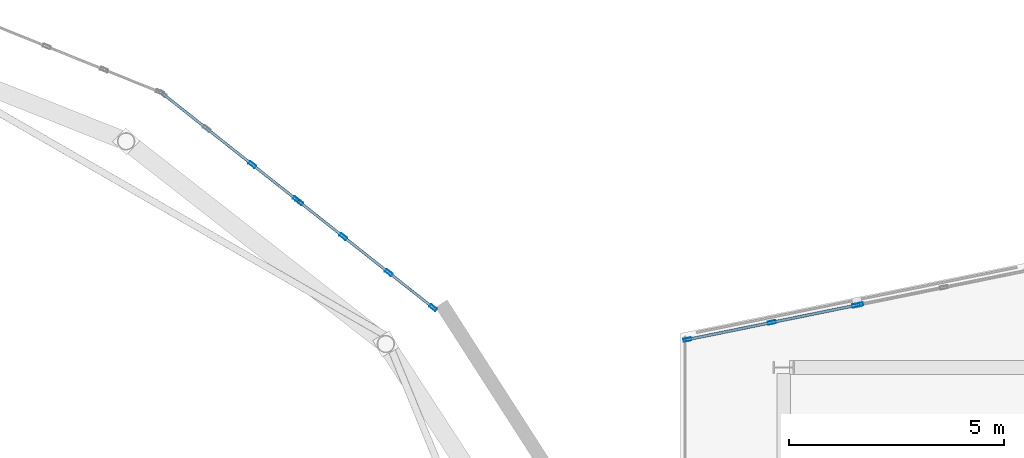
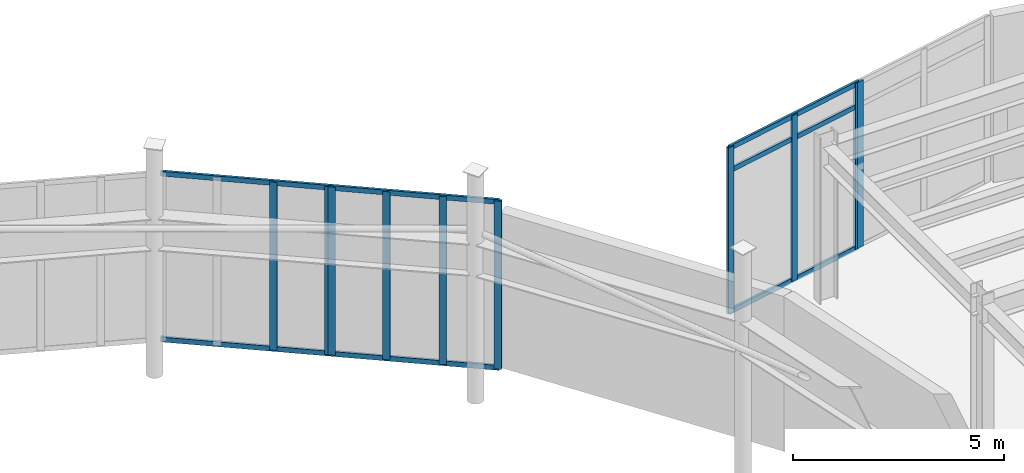
# One storey, part 39 of 91: 17 members, 4 elements without a shape of their own.
"""IFC4 building model written with IfcOpenShell, lengths in metres."""

from ifc_helpers import new_model, si_unit, direction, frame, origin, origin_2d, place, context, subcontext, project, spatial, hollow_rectangle, extrude, material, layer, layer_set, material_profile, profile_set, type_object, element, aggregate, save


model = new_model("IFC4")

# Units and contexts
model_context = context("Model", 3, precision=1e-05, world=origin(), true_north=direction((0.0, 1.0)))
body_context = subcontext(model_context, "Body", "Model", "MODEL_VIEW")
ifc_project = project(units=[si_unit("LENGTHUNIT", "METRE"), si_unit("AREAUNIT", "SQUARE_METRE"), si_unit("VOLUMEUNIT", "CUBIC_METRE"), si_unit("PLANEANGLEUNIT", "RADIAN"), si_unit("MASSUNIT", "GRAM", prefix="KILO")], contexts=[model_context])

# Site, building, storey
site_placement = place(None, origin())
site = spatial("IfcSite", under=ifc_project, at=site_placement, CompositionType="ELEMENT")
building_placement = place(site_placement, origin())
building = spatial("IfcBuilding", under=site, at=building_placement, Name="Sollismere Congress Hotel", CompositionType="ELEMENT")
storey_placement = place(building_placement, frame((0.0, 0.0, 10.800048828125)))
storey = spatial("IfcBuildingStorey", under=building, at=storey_placement, Name="L02", CompositionType="ELEMENT", Elevation=10.800048828125)

# Curtain wall, members
ifc_material_1 = material(Name="Anodized Bronze Curtain Wall & Low-E Triple Glazing", Category="glass")
ifc_layer = layer(ifc_material_1, 0.199951171875, Name="Anodized Bronze Curtain Wall & Low-E Triple Glazing")
ifc_layer_set = layer_set([ifc_layer], Name="Anodized Bronze Curtain Wall & Low-E Triple Glazing")
curtain_wall_type = type_object("IfcCurtainWallType", Name="CW-GLZ36", PredefinedType="USERDEFINED", material=ifc_layer_set)
curtain_wall_1_placement = place(storey_placement, origin())
curtain_wall_1 = element("IfcCurtainWall", 1, at=curtain_wall_1_placement, inside=storey, type_object=curtain_wall_type, Name="Unitised curtain wall CW-L02-005", ObjectType="UNITISED CURTAIN WALL", PredefinedType="USERDEFINED")
ifc_material_2 = material(Name="Anodized Aluminum 6063-T6", Category="aluminium")
ifc_material_profile_1 = material_profile(ifc_material_2, hollow_rectangle(XDim=0.074951171875, YDim=0.179931640625, WallThickness=0.0048828125, at=origin_2d()), Name="ALU180X75X5")
ifc_profile_set_1 = profile_set([ifc_material_profile_1], Name="Anodized Aluminum 6063-T6")
member_type_1 = type_object("IfcMemberType", Name="ML-CW180", PredefinedType="MULLION", material=ifc_profile_set_1)
member_1_placement = place(storey_placement, frame((52.2294921875, 103.795654296875, 0.0), z_axis=(0.0, 0.0, 1.0), x_axis=(-0.620532077362, -0.784181063891, 0.0)))
member_1 = element("IfcMember", 2, at=member_1_placement, type_object=member_type_1, Name="CWL-CW-L02-005-ML01", PredefinedType="MULLION", context=body_context, shape_type="SweptSolid", body=[
    extrude(hollow_rectangle(XDim=0.074951171875, YDim=0.179931640625, WallThickness=0.0048828125, at=origin_2d()), origin(), (0.0, 0.0, 1.0), 4.85986328125),
])
member_2_placement = place(storey_placement, frame((51.19921875, 104.61083984375, 0.0), z_axis=(0.0, 0.0, 1.0), x_axis=(-0.620532077362, -0.784181063891, 0.0)))
member_2 = element("IfcMember", 3, at=member_2_placement, type_object=member_type_1, Name="CWL-CW-L02-005-ML02", PredefinedType="MULLION", context=body_context, shape_type="SweptSolid", body=[
    extrude(hollow_rectangle(XDim=0.074951171875, YDim=0.179931640625, WallThickness=0.0048828125, at=origin_2d()), origin(), (0.0, 0.0, 1.0), 4.85986328125),
])
member_3_placement = place(storey_placement, frame((50.13916015625, 105.44970703125, 0.0), z_axis=(0.0, 0.0, 1.0), x_axis=(-0.620532077362, -0.784181063891, 0.0)))
member_3 = element("IfcMember", 4, at=member_3_placement, type_object=member_type_1, Name="CWL-CW-L02-005-ML03", PredefinedType="MULLION", context=body_context, shape_type="SweptSolid", body=[
    extrude(hollow_rectangle(XDim=0.074951171875, YDim=0.179931640625, WallThickness=0.0048828125, at=origin_2d()), origin(), (0.0, 0.0, 1.0), 4.85986328125),
])
member_4_placement = place(storey_placement, frame((49.10888671875, 106.264892578125, 0.0), z_axis=(0.0, 0.0, 1.0), x_axis=(-0.620532077362, -0.784181063891, 0.0)))
member_4 = element("IfcMember", 5, at=member_4_placement, type_object=member_type_1, Name="CWL-CW-L02-005-ML04", PredefinedType="MULLION", context=body_context, shape_type="SweptSolid", body=[
    extrude(hollow_rectangle(XDim=0.074951171875, YDim=0.179931640625, WallThickness=0.0048828125, at=origin_2d()), origin(), (0.0, 0.0, 1.0), 4.85986328125),
])

curtain_wall_2_placement = place(storey_placement, origin())
curtain_wall_2 = element("IfcCurtainWall", 6, at=curtain_wall_2_placement, inside=storey, type_object=curtain_wall_type, Name="Unitised curtain wall CW-L02-006", ObjectType="UNITISED CURTAIN WALL", PredefinedType="USERDEFINED")
member_5_placement = place(storey_placement, frame((49.04931640625, 106.312255859375, 0.0), z_axis=(0.0, 0.0, 1.0), x_axis=(-0.620532077362, -0.784181063891, 0.0)))
member_5 = element("IfcMember", 7, at=member_5_placement, type_object=member_type_1, Name="CWL-CW-L02-006-ML01", PredefinedType="MULLION", context=body_context, shape_type="SweptSolid", body=[
    extrude(hollow_rectangle(XDim=0.074951171875, YDim=0.179931640625, WallThickness=0.0048828125, at=origin_2d()), origin(), (0.0, 0.0, 1.0), 4.85986328125),
])
member_6_placement = place(storey_placement, frame((48.018798828125, 107.12744140625, 0.0), z_axis=(0.0, 0.0, 1.0), x_axis=(-0.620532077362, -0.784181063891, 0.0)))
member_6 = element("IfcMember", 8, at=member_6_placement, type_object=member_type_1, Name="CWL-CW-L02-006-ML02", PredefinedType="MULLION", context=body_context, shape_type="SweptSolid", body=[
    extrude(hollow_rectangle(XDim=0.074951171875, YDim=0.179931640625, WallThickness=0.0048828125, at=origin_2d()), origin(), (0.0, 0.0, 1.0), 4.85986328125),
])

curtain_wall_3_placement = place(storey_placement, origin())
curtain_wall_3 = element("IfcCurtainWall", 9, at=curtain_wall_3_placement, inside=storey, type_object=curtain_wall_type, Name="Unitised curtain wall CW-L02-097", ObjectType="UNITISED CURTAIN WALL", PredefinedType="USERDEFINED")
member_7_placement = place(storey_placement, frame((58.15478515625, 103.051513671875, 0.0), z_axis=(0.0, 0.0, 1.0), x_axis=(-0.199367934417, 0.979924704621, 0.0)))
member_7 = element("IfcMember", 10, at=member_7_placement, type_object=member_type_1, Name="CWL-CW-L02-097-ML01", PredefinedType="MULLION", context=body_context, shape_type="SweptSolid", body=[
    extrude(hollow_rectangle(XDim=0.074951171875, YDim=0.179931640625, WallThickness=0.0048828125, at=origin_2d()), origin(), (0.0, 0.0, 1.0), 4.800048828125),
])
member_8_placement = place(storey_placement, frame((60.121337890625, 103.45166015625, 0.0), z_axis=(0.0, 0.0, 1.0), x_axis=(-0.199367934417, 0.979924704621, 0.0)))
member_8 = element("IfcMember", 11, at=member_8_placement, type_object=member_type_1, Name="CWL-CW-L02-097-ML02", PredefinedType="MULLION", context=body_context, shape_type="SweptSolid", body=[
    extrude(hollow_rectangle(XDim=0.074951171875, YDim=0.179931640625, WallThickness=0.0048828125, at=origin_2d()), origin(), (0.0, 0.0, 1.0), 4.800048828125),
])
member_9_placement = place(storey_placement, frame((62.087890625, 103.851806640625, 0.0), z_axis=(0.0, 0.0, 1.0), x_axis=(-0.199367934417, 0.979924704621, 0.0)))
member_9 = element("IfcMember", 12, at=member_9_placement, type_object=member_type_1, Name="CWL-CW-L02-097-ML03", PredefinedType="MULLION", context=body_context, shape_type="SweptSolid", body=[
    extrude(hollow_rectangle(XDim=0.074951171875, YDim=0.179931640625, WallThickness=0.0048828125, at=origin_2d()), origin(), (0.0, 0.0, 1.0), 4.800048828125),
])

# Curtain wall, member
curtain_wall_4_placement = place(storey_placement, origin())
curtain_wall_4 = element("IfcCurtainWall", 13, at=curtain_wall_4_placement, inside=storey, type_object=curtain_wall_type, Name="Unitised curtain wall CW-L02-098", ObjectType="UNITISED CURTAIN WALL", PredefinedType="USERDEFINED")
member_10_placement = place(storey_placement, frame((62.162109375, 103.86669921875, 0.0), z_axis=(0.0, 0.0, 1.0), x_axis=(-0.199367934417, 0.979924704621, 0.0)))
member_10 = element("IfcMember", 14, at=member_10_placement, type_object=member_type_1, Name="CWL-CW-L02-098-ML01", PredefinedType="MULLION", context=body_context, shape_type="SweptSolid", body=[
    extrude(hollow_rectangle(XDim=0.074951171875, YDim=0.179931640625, WallThickness=0.0048828125, at=origin_2d()), origin(), (0.0, 0.0, 1.0), 4.800048828125),
])
aggregate(curtain_wall_4, [member_10])

# Member
ifc_material_profile_2 = material_profile(ifc_material_2, hollow_rectangle(XDim=0.06494140625, YDim=0.139892578125, WallThickness=0.00390625, at=origin_2d()), Name="ALU140X65X4")
ifc_profile_set_2 = profile_set([ifc_material_profile_2], Name="Anodized Aluminum 6063-T6")
member_type_2 = type_object("IfcMemberType", Name="TR-CW150", PredefinedType="MEMBER", material=ifc_profile_set_2)
member_11_placement = place(storey_placement, frame((52.25927734375, 103.772216796875, 0.032470703125), z_axis=(-0.78419961589, 0.620508632042, 0.0), x_axis=(-0.620508632042, -0.78419961589, 0.0)))
member_11 = element("IfcMember", 15, at=member_11_placement, type_object=member_type_2, Name="CWL-CW-L02-005-TR1", PredefinedType="MEMBER", context=body_context, shape_type="SweptSolid", body=[
    extrude(hollow_rectangle(XDim=0.06494140625, YDim=0.139892578125, WallThickness=0.00390625, at=origin_2d()), origin(), (0.0, 0.0, 1.0), 4.055419921875),
])

member_12_placement = place(storey_placement, frame((52.25927734375, 103.772216796875, 4.827392578125), z_axis=(-0.78419961589, 0.620508632042, 0.0), x_axis=(-0.620508632042, -0.78419961589, 0.0)))
member_12 = element("IfcMember", 16, at=member_12_placement, type_object=member_type_2, Name="CWL-CW-L02-005-TR2", PredefinedType="MEMBER", context=body_context, shape_type="SweptSolid", body=[
    extrude(hollow_rectangle(XDim=0.06494140625, YDim=0.139892578125, WallThickness=0.00390625, at=origin_2d()), origin(), (0.0, 0.0, 1.0), 4.055419921875),
])

aggregate(curtain_wall_1, [member_1, member_2, member_3, member_4, member_11, member_12])

member_13_placement = place(storey_placement, frame((49.0791015625, 106.28857421875, 0.032470703125), z_axis=(-0.784193501486, 0.620516359355, 0.0), x_axis=(-0.620516359355, -0.784193501486, 0.0)))
member_13 = element("IfcMember", 17, at=member_13_placement, type_object=member_type_2, Name="CWL-CW-L02-006-TR1", PredefinedType="MEMBER", context=body_context, shape_type="SweptSolid", body=[
    extrude(hollow_rectangle(XDim=0.06494140625, YDim=0.139892578125, WallThickness=0.00390625, at=origin_2d()), origin(), (0.0, 0.0, 1.0), 4.0556640625),
])

member_14_placement = place(storey_placement, frame((49.0791015625, 106.28857421875, 4.827392578125), z_axis=(-0.784193501486, 0.620516359355, 0.0), x_axis=(-0.620516359355, -0.784193501486, 0.0)))
member_14 = element("IfcMember", 18, at=member_14_placement, type_object=member_type_2, Name="CWL-CW-L02-006-TR2", PredefinedType="MEMBER", context=body_context, shape_type="SweptSolid", body=[
    extrude(hollow_rectangle(XDim=0.06494140625, YDim=0.139892578125, WallThickness=0.00390625, at=origin_2d()), origin(), (0.0, 0.0, 1.0), 4.0556640625),
])

aggregate(curtain_wall_2, [member_5, member_6, member_13, member_14])

member_15_placement = place(storey_placement, frame((58.11767578125, 103.0439453125, 0.032470703125), z_axis=(0.979918476409, 0.199398544609, 0.0), x_axis=(-0.199398544609, 0.979918476409, 0.0)))
member_15 = element("IfcMember", 19, at=member_15_placement, type_object=member_type_2, Name="CWL-CW-L02-097-TR1", PredefinedType="MEMBER", context=body_context, shape_type="SweptSolid", body=[
    extrude(hollow_rectangle(XDim=0.06494140625, YDim=0.139892578125, WallThickness=0.00390625, at=origin_2d()), origin(), (0.0, 0.0, 1.0), 4.08935546875),
])

member_16_placement = place(storey_placement, frame((58.11767578125, 103.0439453125, 4.119873046875), z_axis=(0.979918476409, 0.199398544609, 0.0), x_axis=(-0.199398544609, 0.979918476409, 0.0)))
member_16 = element("IfcMember", 20, at=member_16_placement, type_object=member_type_2, Name="CWL-CW-L02-097-TR2", PredefinedType="MEMBER", context=body_context, shape_type="SweptSolid", body=[
    extrude(hollow_rectangle(XDim=0.06494140625, YDim=0.139892578125, WallThickness=0.00390625, at=origin_2d()), origin(), (0.0, 0.0, 1.0), 4.08935546875),
])

member_17_placement = place(storey_placement, frame((58.11767578125, 103.0439453125, 4.767333984375), z_axis=(0.979918476409, 0.199398544609, 0.0), x_axis=(-0.199398544609, 0.979918476409, 0.0)))
member_17 = element("IfcMember", 21, at=member_17_placement, type_object=member_type_2, Name="CWL-CW-L02-097-TR3", PredefinedType="MEMBER", context=body_context, shape_type="SweptSolid", body=[
    extrude(hollow_rectangle(XDim=0.06494140625, YDim=0.139892578125, WallThickness=0.00390625, at=origin_2d()), origin(), (0.0, 0.0, 1.0), 4.08935546875),
])

aggregate(curtain_wall_3, [member_7, member_8, member_9, member_15, member_16, member_17])

save(model, "model.ifc")
